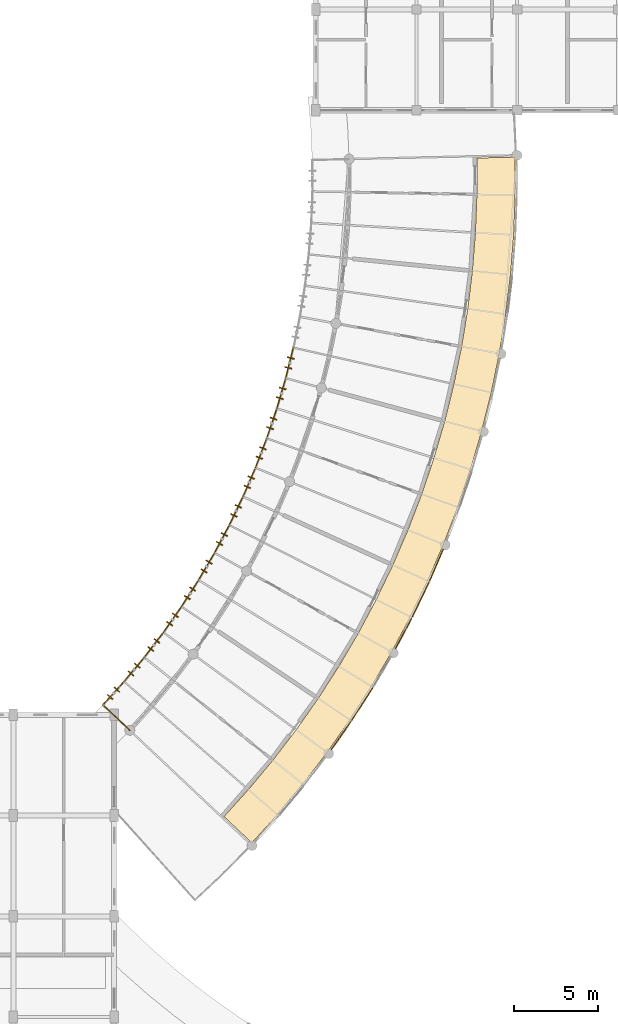
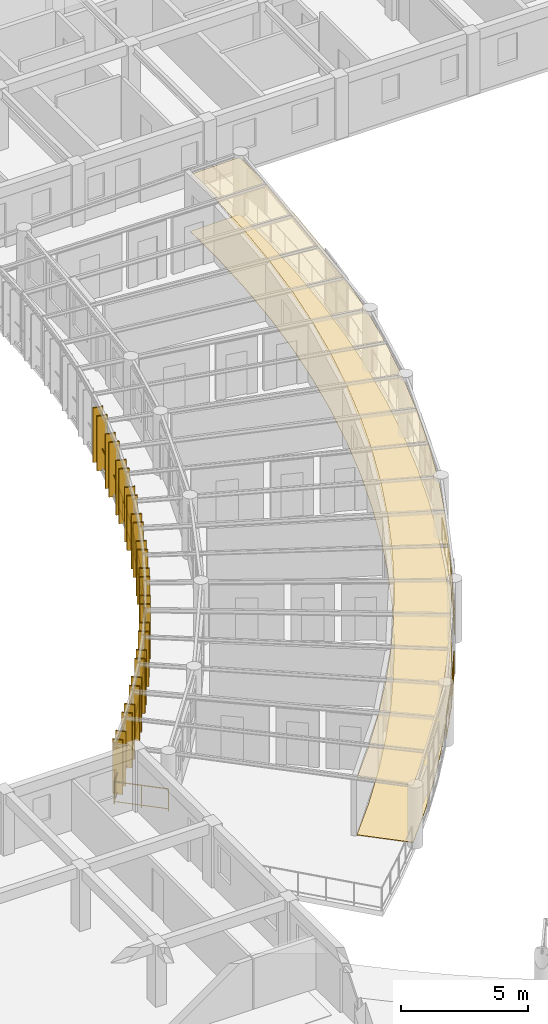
# One storey, part 91 of 101: 26 shading devices, 19 railings, 2 coverings.
"""IFC4 building model written with IfcOpenShell, lengths in metres."""

from ifc_helpers import new_model, si_unit, direction, frame, origin, origin_2d, place, context, subcontext, project, spatial, polyline, rectangle, circle, outline, extrude, material, layer, layer_set, type_object, element, save


model = new_model("IFC4")

# Units and contexts
model_context = context("Model", 3, precision=1e-05, world=origin(), true_north=direction((0.0, 1.0)))
body_context = subcontext(model_context, "Body", "Model", "MODEL_VIEW")
ifc_project = project(units=[si_unit("LENGTHUNIT", "METRE"), si_unit("AREAUNIT", "SQUARE_METRE"), si_unit("VOLUMEUNIT", "CUBIC_METRE"), si_unit("PLANEANGLEUNIT", "RADIAN"), si_unit("MASSUNIT", "GRAM", prefix="KILO"), si_unit("POWERUNIT", "WATT"), si_unit("THERMODYNAMICTEMPERATUREUNIT", "KELVIN")], contexts=[model_context])

# Site, building, storey
site_placement = place(None, origin())
site = spatial("IfcSite", under=ifc_project, at=site_placement, CompositionType="ELEMENT")
building_placement = place(site_placement, origin())
building = spatial("IfcBuilding", under=site, at=building_placement, Name="Ruvembo Vaulted Housing Court", CompositionType="ELEMENT")
storey_placement = place(building_placement, frame((0.0, 0.0, 17.300048828125)))
storey = spatial("IfcBuildingStorey", under=building, at=storey_placement, Name="L05", CompositionType="ELEMENT", Elevation=17.300048828125)

# Coverings
ifc_material_1 = material(Name="Perforated Mineral-Fibre Acoustic Tile", Category="gypsum")
ifc_layer_1 = layer(ifc_material_1, 0.02001953125, Name="Perforated Mineral-Fibre Acoustic Tile")
ifc_layer_set_1 = layer_set([ifc_layer_1], Name="Perforated Mineral-Fibre Acoustic Tile")
covering_type_1 = type_object("IfcCoveringType", Name="COV-CEIL-ACOUST", PredefinedType="CEILING", material=ifc_layer_set_1)
covering_1_placement = place(storey_placement, frame((0.0, 0.0, 2.744873046875)))
element("IfcCovering", 1, at=covering_1_placement, inside=storey, type_object=covering_type_1, Name="Scoop SC1 L05 Shaded Access Gallery Ceiling", PredefinedType="CEILING", context=body_context, shape_type="SweptSolid", body=[
    extrude(outline(polyline([(44.201416015625, 34.37646484375), (45.718994140625, 36.053955078125), (47.23681640625, 37.876708984375), (48.6787109375, 39.76025390625), (50.0419921875, 41.701171875), (51.324951171875, 43.6962890625), (52.52490234375, 45.742431640625), (53.64013671875, 47.8359375), (54.66845703125, 49.973388671875), (55.608642578125, 52.151123046875), (56.45849609375, 54.36572265625), (57.21728515625, 56.613037109375), (57.88330078125, 58.8896484375), (58.455322265625, 61.191650390625), (58.9326171875, 63.51513671875), (59.314208984375, 65.856201171875), (59.599853515625, 68.2109375), (59.78857421875, 70.575439453125), (59.88037109375, 72.94580078125), (59.875244140625, 75.207763671875), (57.595703125, 75.156005859375), (57.600830078125, 72.989501953125), (57.6005859375, 72.985107421875), (57.5126953125, 70.712646484375), (57.512451171875, 70.7080078125), (57.33154296875, 68.441162109375), (57.3310546875, 68.436767578125), (57.057373046875, 66.17919921875), (57.056640625, 66.1748046875), (56.690673828125, 63.930419921875), (56.68994140625, 63.926025390625), (56.232421875, 61.698486328125), (56.231201171875, 61.694091796875), (55.682861328125, 59.487060546875), (55.681640625, 59.482666015625), (55.043212890625, 57.300048828125), (55.041748046875, 57.2958984375), (54.314453125, 55.14111328125), (54.31298828125, 55.136962890625), (53.498046875, 53.013916015625), (53.496337890625, 53.009521484375), (52.59521484375, 50.921875), (52.59326171875, 50.917724609375), (51.607177734375, 48.868408203125), (51.605224609375, 48.864501953125), (50.535888671875, 46.857421875), (50.53369140625, 46.853515625), (49.38330078125, 44.891845703125), (49.381103515625, 44.887939453125), (48.151123046875, 42.97509765625), (48.148681640625, 42.971435546875), (46.841552734375, 41.110595703125), (46.8388671875, 41.10693359375), (45.456298828125, 39.30126953125), (45.45361328125, 39.297607421875), (43.99853515625, 37.550048828125), (43.99560546875, 37.546630859375), (42.54248046875, 35.940185546875), (44.201416015625, 34.37646484375)])), origin(), (0.0, 0.0, 1.0), 0.02001953125),
])
ifc_material_2 = material(Name="Polished Cement-Aggregate Terrazzo", Category="stone")
ifc_layer_2 = layer(ifc_material_2, 0.02197265625, Name="Polished Cement-Aggregate Terrazzo")
ifc_layer_set_2 = layer_set([ifc_layer_2], Name="Polished Cement-Aggregate Terrazzo")
covering_type_2 = type_object("IfcCoveringType", Name="COV-FLR-CERAMIC", PredefinedType="FLOORING", material=ifc_layer_set_2)
covering_2_placement = place(storey_placement, origin())
element("IfcCovering", 2, at=covering_2_placement, inside=storey, type_object=covering_type_2, Name="Scoop SC1 L05 Shaded Access Gallery Flooring", PredefinedType="FLOORING", context=body_context, shape_type="SweptSolid", body=[
    extrude(outline(polyline([(44.201416015625, 34.37646484375), (45.718994140625, 36.053955078125), (47.23681640625, 37.876708984375), (48.6787109375, 39.76025390625), (50.0419921875, 41.701171875), (51.324951171875, 43.6962890625), (52.52490234375, 45.742431640625), (53.64013671875, 47.8359375), (54.66845703125, 49.973388671875), (55.608642578125, 52.151123046875), (56.45849609375, 54.36572265625), (57.21728515625, 56.613037109375), (57.88330078125, 58.8896484375), (58.455322265625, 61.191650390625), (58.9326171875, 63.51513671875), (59.314208984375, 65.856201171875), (59.599853515625, 68.2109375), (59.78857421875, 70.575439453125), (59.88037109375, 72.94580078125), (59.875244140625, 75.207763671875), (57.595703125, 75.156005859375), (57.600830078125, 72.989501953125), (57.6005859375, 72.985107421875), (57.5126953125, 70.712646484375), (57.512451171875, 70.7080078125), (57.33154296875, 68.441162109375), (57.3310546875, 68.436767578125), (57.057373046875, 66.17919921875), (57.056640625, 66.1748046875), (56.690673828125, 63.930419921875), (56.68994140625, 63.926025390625), (56.232421875, 61.698486328125), (56.231201171875, 61.694091796875), (55.682861328125, 59.487060546875), (55.681640625, 59.482666015625), (55.043212890625, 57.300048828125), (55.041748046875, 57.2958984375), (54.314453125, 55.14111328125), (54.31298828125, 55.136962890625), (53.498046875, 53.013916015625), (53.496337890625, 53.009521484375), (52.59521484375, 50.921875), (52.59326171875, 50.917724609375), (51.607177734375, 48.868408203125), (51.605224609375, 48.864501953125), (50.535888671875, 46.857421875), (50.53369140625, 46.853515625), (49.38330078125, 44.891845703125), (49.381103515625, 44.887939453125), (48.151123046875, 42.97509765625), (48.148681640625, 42.971435546875), (46.841552734375, 41.110595703125), (46.8388671875, 41.10693359375), (45.456298828125, 39.30126953125), (45.45361328125, 39.297607421875), (43.99853515625, 37.550048828125), (43.99560546875, 37.546630859375), (42.54248046875, 35.940185546875), (44.201416015625, 34.37646484375)])), origin(), (0.0, 0.0, 1.0), 0.02197265625),
])

# Railings
ifc_material_3 = material(Name="Galvanised Painted Steel and Laminated Glass", Category="steel")
ifc_layer_3 = layer(ifc_material_3, 0.070068359375, Name="Galvanised Painted Steel and Laminated Glass")
ifc_layer_set_3 = layer_set([ifc_layer_3], Name="Galvanised Painted Steel and Laminated Glass")
railing_type_1 = type_object("IfcRailingType", Name="RL-BALUST-1120", PredefinedType="BALUSTRADE", material=ifc_layer_set_3)
railing_1_placement = place(storey_placement, frame((48.939697265625, 39.940673828125, 0.0)))
element("IfcRailing", 3, at=railing_1_placement, inside=storey, type_object=railing_type_1, Name="L05 Perimeter Guard RL-EXT-L05-0183", PredefinedType="BALUSTRADE", context=body_context, shape_type="SweptSolid", body=[
    extrude(circle(Radius=0.02392578125, at=origin_2d()), frame((0.0, 0.0, 1.09619140625), z_axis=(0.574803820442, 0.818291248887, 0.0), x_axis=(-0.818291248887, 0.574803820442, 0.0)), (0.0, 0.0, 1.0), 2.0263671875),
    extrude(circle(Radius=0.01806640625, at=origin_2d()), frame((0.0, 0.0, 0.1201171875), z_axis=(0.574803820442, 0.818291248887, 0.0), x_axis=(-0.818291248887, 0.574803820442, 0.0)), (0.0, 0.0, 1.0), 2.0263671875),
    extrude(circle(Radius=0.02099609375, at=origin_2d()), origin(), (0.0, 0.0, 1.0), 1.072021484375),
    extrude(circle(Radius=0.02099609375, at=origin_2d()), frame((0.58251953125, 0.8291015625, 0.0)), (0.0, 0.0, 1.0), 1.072021484375),
    extrude(circle(Radius=0.02099609375, at=origin_2d()), frame((1.164794921875, 1.658203125, 0.0)), (0.0, 0.0, 1.0), 1.072021484375),
])
railing_2_placement = place(storey_placement, frame((50.160400390625, 41.681884765625, 0.0)))
element("IfcRailing", 4, at=railing_2_placement, inside=storey, type_object=railing_type_1, Name="L05 Perimeter Guard RL-EXT-L05-0184", PredefinedType="BALUSTRADE", context=body_context, shape_type="SweptSolid", body=[
    extrude(circle(Radius=0.02392578125, at=origin_2d()), frame((0.0, 0.0, 1.09619140625), z_axis=(0.540838894016, 0.8411262038, 0.0), x_axis=(-0.8411262038, 0.540838894016, 0.0)), (0.0, 0.0, 1.0), 2.2763671875),
    extrude(circle(Radius=0.01806640625, at=origin_2d()), frame((0.0, 0.0, 0.1201171875), z_axis=(0.540838894016, 0.8411262038, 0.0), x_axis=(-0.8411262038, 0.540838894016, 0.0)), (0.0, 0.0, 1.0), 2.2763671875),
    extrude(circle(Radius=0.02099609375, at=origin_2d()), origin(), (0.0, 0.0, 1.0), 1.072021484375),
    extrude(circle(Radius=0.02099609375, at=origin_2d()), frame((0.61572265625, 0.95751953125, 0.0)), (0.0, 0.0, 1.0), 1.072021484375),
    extrude(circle(Radius=0.02099609375, at=origin_2d()), frame((1.231201171875, 1.914794921875, 0.0)), (0.0, 0.0, 1.0), 1.072021484375),
])
railing_3_placement = place(storey_placement, frame((52.761962890625, 45.95361328125, 0.0)))
element("IfcRailing", 5, at=railing_3_placement, inside=storey, type_object=railing_type_1, Name="L05 Perimeter Guard RL-EXT-L05-0185", PredefinedType="BALUSTRADE", context=body_context, shape_type="SweptSolid", body=[
    extrude(circle(Radius=0.02392578125, at=origin_2d()), frame((0.0, 0.0, 1.09619140625), z_axis=(0.470100420007, 0.882612936178, 0.0), x_axis=(-0.882612936178, 0.470100420007, 0.0)), (0.0, 0.0, 1.0), 2.0263671875),
    extrude(circle(Radius=0.01806640625, at=origin_2d()), frame((0.0, 0.0, 0.1201171875), z_axis=(0.470100420007, 0.882612936178, 0.0), x_axis=(-0.882612936178, 0.470100420007, 0.0)), (0.0, 0.0, 1.0), 2.0263671875),
    extrude(circle(Radius=0.02099609375, at=origin_2d()), origin(), (0.0, 0.0, 1.0), 1.072021484375),
    extrude(circle(Radius=0.02099609375, at=origin_2d()), frame((0.476318359375, 0.894287109375, 0.0)), (0.0, 0.0, 1.0), 1.072021484375),
    extrude(circle(Radius=0.02099609375, at=origin_2d()), frame((0.95263671875, 1.78857421875, 0.0)), (0.0, 0.0, 1.0), 1.072021484375),
])
railing_4_placement = place(storey_placement, frame((53.760009765625, 47.831298828125, 0.0)))
element("IfcRailing", 6, at=railing_4_placement, inside=storey, type_object=railing_type_1, Name="L05 Perimeter Guard RL-EXT-L05-0186", PredefinedType="BALUSTRADE", context=body_context, shape_type="SweptSolid", body=[
    extrude(circle(Radius=0.02392578125, at=origin_2d()), frame((0.0, 0.0, 1.09619140625), z_axis=(0.433477019687, 0.90116462059, 0.0), x_axis=(-0.90116462059, 0.433477019687, 0.0)), (0.0, 0.0, 1.0), 2.276611328125),
    extrude(circle(Radius=0.01806640625, at=origin_2d()), frame((0.0, 0.0, 0.1201171875), z_axis=(0.433477019687, 0.90116462059, 0.0), x_axis=(-0.90116462059, 0.433477019687, 0.0)), (0.0, 0.0, 1.0), 2.276611328125),
    extrude(circle(Radius=0.02099609375, at=origin_2d()), origin(), (0.0, 0.0, 1.0), 1.072021484375),
    extrude(circle(Radius=0.02099609375, at=origin_2d()), frame((0.493408203125, 1.02587890625, 0.0)), (0.0, 0.0, 1.0), 1.072021484375),
    extrude(circle(Radius=0.02099609375, at=origin_2d()), frame((0.98681640625, 2.051513671875, 0.0)), (0.0, 0.0, 1.0), 1.072021484375),
])
railing_5_placement = place(storey_placement, frame((54.788330078125, 49.9736328125, 0.0)))
element("IfcRailing", 7, at=railing_5_placement, inside=storey, type_object=railing_type_1, Name="L05 Perimeter Guard RL-EXT-L05-0187", PredefinedType="BALUSTRADE", context=body_context, shape_type="SweptSolid", body=[
    extrude(circle(Radius=0.02392578125, at=origin_2d()), frame((0.0, 0.0, 1.09619140625), z_axis=(0.396346015974, 0.918101212079, 0.0), x_axis=(-0.918101212079, 0.396346015974, 0.0)), (0.0, 0.0, 1.0), 2.026611328125),
    extrude(circle(Radius=0.01806640625, at=origin_2d()), frame((0.0, 0.0, 0.1201171875), z_axis=(0.396346015974, 0.918101212079, 0.0), x_axis=(-0.918101212079, 0.396346015974, 0.0)), (0.0, 0.0, 1.0), 2.026611328125),
    extrude(circle(Radius=0.02099609375, at=origin_2d()), origin(), (0.0, 0.0, 1.0), 1.072021484375),
    extrude(circle(Radius=0.02099609375, at=origin_2d()), frame((0.401611328125, 0.93017578125, 0.0)), (0.0, 0.0, 1.0), 1.072021484375),
    extrude(circle(Radius=0.02099609375, at=origin_2d()), frame((0.80322265625, 1.860595703125, 0.0)), (0.0, 0.0, 1.0), 1.072021484375),
])
ifc_material_4 = material(Name="Galvanised Painted Steel S275", Category="steel")
ifc_layer_4 = layer(ifc_material_4, 0.06005859375, Name="Galvanised Painted Steel S275")
ifc_layer_set_4 = layer_set([ifc_layer_4], Name="Galvanised Painted Steel S275")
railing_type_2 = type_object("IfcRailingType", Name="RL-GUARD-1100", PredefinedType="GUARDRAIL", material=ifc_layer_set_4)
railing_6_placement = place(storey_placement, frame((36.9306640625, 41.078125, 0.0)))
element("IfcRailing", 8, at=railing_6_placement, inside=storey, type_object=railing_type_2, Name="L05 Perimeter Guard RL-EXT-L05-0160", PredefinedType="GUARDRAIL", context=body_context, shape_type="SweptSolid", body=[
    extrude(circle(Radius=0.02392578125, at=origin_2d()), frame((0.0, 0.0, 1.076171875), z_axis=(-0.727769798271, 0.685821493338, 0.0), x_axis=(-0.685821493338, -0.727769798271, 0.0)), (0.0, 0.0, 1.0), 2.199951171875),
    extrude(circle(Radius=0.01806640625, at=origin_2d()), frame((0.0, 0.0, 0.1201171875), z_axis=(-0.727769798271, 0.685821493338, 0.0), x_axis=(-0.685821493338, -0.727769798271, 0.0)), (0.0, 0.0, 1.0), 2.199951171875),
    extrude(circle(Radius=0.02099609375, at=origin_2d()), origin(), (0.0, 0.0, 1.0), 1.052001953125),
    extrude(circle(Radius=0.02099609375, at=origin_2d()), frame((-0.800537109375, 0.75439453125, 0.0)), (0.0, 0.0, 1.0), 1.052001953125),
    extrude(circle(Radius=0.02099609375, at=origin_2d()), frame((-1.60107421875, 1.5087890625, 0.0)), (0.0, 0.0, 1.0), 1.052001953125),
])
railing_7_placement = place(storey_placement, frame((35.32958984375, 42.5869140625, 0.0)))
element("IfcRailing", 9, at=railing_7_placement, inside=storey, type_object=railing_type_2, Name="L05 Perimeter Guard RL-EXT-L05-0161", PredefinedType="GUARDRAIL", context=body_context, shape_type="SweptSolid", body=[
    extrude(circle(Radius=0.02392578125, at=origin_2d()), frame((0.0, 0.0, 1.076171875), z_axis=(0.670766832997, 0.741668292265, 0.0), x_axis=(-0.741668292265, 0.670766832997, 0.0)), (0.0, 0.0, 1.0), 1.876708984375),
    extrude(circle(Radius=0.01806640625, at=origin_2d()), frame((0.0, 0.0, 0.1201171875), z_axis=(0.670766832997, 0.741668292265, 0.0), x_axis=(-0.741668292265, 0.670766832997, 0.0)), (0.0, 0.0, 1.0), 1.876708984375),
    extrude(circle(Radius=0.02099609375, at=origin_2d()), origin(), (0.0, 0.0, 1.0), 1.052001953125),
    extrude(circle(Radius=0.02099609375, at=origin_2d()), frame((0.62939453125, 0.69580078125, 0.0)), (0.0, 0.0, 1.0), 1.052001953125),
    extrude(circle(Radius=0.02099609375, at=origin_2d()), frame((1.2587890625, 1.391845703125, 0.0)), (0.0, 0.0, 1.0), 1.052001953125),
])
railing_8_placement = place(storey_placement, frame((36.58837890625, 43.978759765625, 0.0)))
element("IfcRailing", 10, at=railing_8_placement, inside=storey, type_object=railing_type_2, Name="L05 Perimeter Guard RL-EXT-L05-0162", PredefinedType="GUARDRAIL", context=body_context, shape_type="SweptSolid", body=[
    extrude(circle(Radius=0.02392578125, at=origin_2d()), frame((0.0, 0.0, 1.076171875), z_axis=(0.639915648776, 0.76844515904, 0.0), x_axis=(-0.76844515904, 0.639915648776, 0.0)), (0.0, 0.0, 1.0), 1.876708984375),
    extrude(circle(Radius=0.01806640625, at=origin_2d()), frame((0.0, 0.0, 0.1201171875), z_axis=(0.639915648776, 0.76844515904, 0.0), x_axis=(-0.76844515904, 0.639915648776, 0.0)), (0.0, 0.0, 1.0), 1.876708984375),
    extrude(circle(Radius=0.02099609375, at=origin_2d()), origin(), (0.0, 0.0, 1.0), 1.052001953125),
    extrude(circle(Radius=0.02099609375, at=origin_2d()), frame((0.6005859375, 0.72119140625, 0.0)), (0.0, 0.0, 1.0), 1.052001953125),
    extrude(circle(Radius=0.02099609375, at=origin_2d()), frame((1.200927734375, 1.442138671875, 0.0)), (0.0, 0.0, 1.0), 1.052001953125),
])
railing_9_placement = place(storey_placement, frame((37.789306640625, 45.4208984375, 0.0)))
element("IfcRailing", 11, at=railing_9_placement, inside=storey, type_object=railing_type_2, Name="L05 Perimeter Guard RL-EXT-L05-0163", PredefinedType="GUARDRAIL", context=body_context, shape_type="SweptSolid", body=[
    extrude(circle(Radius=0.02392578125, at=origin_2d()), frame((0.0, 0.0, 1.076171875), z_axis=(0.607860517304, 0.794043822155, 0.0), x_axis=(-0.794043822155, 0.607860517304, 0.0)), (0.0, 0.0, 1.0), 1.87646484375),
    extrude(circle(Radius=0.01806640625, at=origin_2d()), frame((0.0, 0.0, 0.1201171875), z_axis=(0.607860517304, 0.794043822155, 0.0), x_axis=(-0.794043822155, 0.607860517304, 0.0)), (0.0, 0.0, 1.0), 1.87646484375),
    extrude(circle(Radius=0.02099609375, at=origin_2d()), origin(), (0.0, 0.0, 1.0), 1.052001953125),
    extrude(circle(Radius=0.02099609375, at=origin_2d()), frame((0.5703125, 0.7451171875, 0.0)), (0.0, 0.0, 1.0), 1.052001953125),
    extrude(circle(Radius=0.02099609375, at=origin_2d()), frame((1.140625, 1.489990234375, 0.0)), (0.0, 0.0, 1.0), 1.052001953125),
])
railing_10_placement = place(storey_placement, frame((38.929931640625, 46.910888671875, 0.0)))
element("IfcRailing", 12, at=railing_10_placement, inside=storey, type_object=railing_type_2, Name="L05 Perimeter Guard RL-EXT-L05-0164", PredefinedType="GUARDRAIL", context=body_context, shape_type="SweptSolid", body=[
    extrude(circle(Radius=0.02392578125, at=origin_2d()), frame((0.0, 0.0, 1.076171875), z_axis=(0.574858427718, 0.81825288761, 0.0), x_axis=(-0.81825288761, 0.574858427718, 0.0)), (0.0, 0.0, 1.0), 1.876708984375),
    extrude(circle(Radius=0.01806640625, at=origin_2d()), frame((0.0, 0.0, 0.1201171875), z_axis=(0.574858427718, 0.81825288761, 0.0), x_axis=(-0.81825288761, 0.574858427718, 0.0)), (0.0, 0.0, 1.0), 1.876708984375),
    extrude(circle(Radius=0.02099609375, at=origin_2d()), origin(), (0.0, 0.0, 1.0), 1.052001953125),
    extrude(circle(Radius=0.02099609375, at=origin_2d()), frame((0.53955078125, 0.767822265625, 0.0)), (0.0, 0.0, 1.0), 1.052001953125),
    extrude(circle(Radius=0.02099609375, at=origin_2d()), frame((1.078857421875, 1.53564453125, 0.0)), (0.0, 0.0, 1.0), 1.052001953125),
])
railing_11_placement = place(storey_placement, frame((40.0087890625, 48.446533203125, 0.0)))
element("IfcRailing", 13, at=railing_11_placement, inside=storey, type_object=railing_type_2, Name="L05 Perimeter Guard RL-EXT-L05-0165", PredefinedType="GUARDRAIL", context=body_context, shape_type="SweptSolid", body=[
    extrude(circle(Radius=0.02392578125, at=origin_2d()), frame((0.0, 0.0, 1.076171875), z_axis=(0.540783890821, 0.841161567969, 0.0), x_axis=(-0.841161567969, 0.540783890821, 0.0)), (0.0, 0.0, 1.0), 1.876708984375),
    extrude(circle(Radius=0.01806640625, at=origin_2d()), frame((0.0, 0.0, 0.1201171875), z_axis=(0.540783890821, 0.841161567969, 0.0), x_axis=(-0.841161567969, 0.540783890821, 0.0)), (0.0, 0.0, 1.0), 1.876708984375),
    extrude(circle(Radius=0.02099609375, at=origin_2d()), origin(), (0.0, 0.0, 1.0), 1.052001953125),
    extrude(circle(Radius=0.02099609375, at=origin_2d()), frame((0.50732421875, 0.789306640625, 0.0)), (0.0, 0.0, 1.0), 1.052001953125),
    extrude(circle(Radius=0.02099609375, at=origin_2d()), frame((1.014892578125, 1.57861328125, 0.0)), (0.0, 0.0, 1.0), 1.052001953125),
])
railing_12_placement = place(storey_placement, frame((41.023681640625, 50.025146484375, 0.0)))
element("IfcRailing", 14, at=railing_12_placement, inside=storey, type_object=railing_type_2, Name="L05 Perimeter Guard RL-EXT-L05-0166", PredefinedType="GUARDRAIL", context=body_context, shape_type="SweptSolid", body=[
    extrude(circle(Radius=0.02392578125, at=origin_2d()), frame((0.0, 0.0, 1.076171875), z_axis=(0.505859733288, 0.862615748893, 0.0), x_axis=(-0.862615748893, 0.505859733288, 0.0)), (0.0, 0.0, 1.0), 1.87646484375),
    extrude(circle(Radius=0.01806640625, at=origin_2d()), frame((0.0, 0.0, 0.1201171875), z_axis=(0.505859733288, 0.862615748893, 0.0), x_axis=(-0.862615748893, 0.505859733288, 0.0)), (0.0, 0.0, 1.0), 1.87646484375),
    extrude(circle(Radius=0.02099609375, at=origin_2d()), origin(), (0.0, 0.0, 1.0), 1.052001953125),
    extrude(circle(Radius=0.02099609375, at=origin_2d()), frame((0.474609375, 0.809326171875, 0.0)), (0.0, 0.0, 1.0), 1.052001953125),
    extrude(circle(Radius=0.02099609375, at=origin_2d()), frame((0.94921875, 1.61865234375, 0.0)), (0.0, 0.0, 1.0), 1.052001953125),
])
railing_13_placement = place(storey_placement, frame((41.972900390625, 51.643798828125, 0.0)))
element("IfcRailing", 15, at=railing_13_placement, inside=storey, type_object=railing_type_2, Name="L05 Perimeter Guard RL-EXT-L05-0167", PredefinedType="GUARDRAIL", context=body_context, shape_type="SweptSolid", body=[
    extrude(circle(Radius=0.02392578125, at=origin_2d()), frame((0.0, 0.0, 1.076171875), z_axis=(0.470115552325, 0.882604876183, 0.0), x_axis=(-0.882604876183, 0.470115552325, 0.0)), (0.0, 0.0, 1.0), 1.876708984375),
    extrude(circle(Radius=0.01806640625, at=origin_2d()), frame((0.0, 0.0, 0.1201171875), z_axis=(0.470115552325, 0.882604876183, 0.0), x_axis=(-0.882604876183, 0.470115552325, 0.0)), (0.0, 0.0, 1.0), 1.876708984375),
    extrude(circle(Radius=0.02099609375, at=origin_2d()), origin(), (0.0, 0.0, 1.0), 1.052001953125),
    extrude(circle(Radius=0.02099609375, at=origin_2d()), frame((0.441162109375, 0.828125, 0.0)), (0.0, 0.0, 1.0), 1.052001953125),
    extrude(circle(Radius=0.02099609375, at=origin_2d()), frame((0.88232421875, 1.656494140625, 0.0)), (0.0, 0.0, 1.0), 1.052001953125),
])
railing_14_placement = place(storey_placement, frame((42.855224609375, 53.30029296875, 0.0)))
element("IfcRailing", 16, at=railing_14_placement, inside=storey, type_object=railing_type_2, Name="L05 Perimeter Guard RL-EXT-L05-0168", PredefinedType="GUARDRAIL", context=body_context, shape_type="SweptSolid", body=[
    extrude(circle(Radius=0.02392578125, at=origin_2d()), frame((0.0, 0.0, 1.076171875), z_axis=(0.433631756601, 0.901090172883, 0.0), x_axis=(-0.901090172883, 0.433631756601, 0.0)), (0.0, 0.0, 1.0), 1.87646484375),
    extrude(circle(Radius=0.01806640625, at=origin_2d()), frame((0.0, 0.0, 0.1201171875), z_axis=(0.433631756601, 0.901090172883, 0.0), x_axis=(-0.901090172883, 0.433631756601, 0.0)), (0.0, 0.0, 1.0), 1.87646484375),
    extrude(circle(Radius=0.02099609375, at=origin_2d()), origin(), (0.0, 0.0, 1.0), 1.052001953125),
    extrude(circle(Radius=0.02099609375, at=origin_2d()), frame((0.40673828125, 0.845458984375, 0.0)), (0.0, 0.0, 1.0), 1.052001953125),
    extrude(circle(Radius=0.02099609375, at=origin_2d()), frame((0.813720703125, 1.69091796875, 0.0)), (0.0, 0.0, 1.0), 1.052001953125),
])
railing_15_placement = place(storey_placement, frame((43.6689453125, 54.9912109375, 0.0)))
element("IfcRailing", 17, at=railing_15_placement, inside=storey, type_object=railing_type_2, Name="L05 Perimeter Guard RL-EXT-L05-0169", PredefinedType="GUARDRAIL", context=body_context, shape_type="SweptSolid", body=[
    extrude(circle(Radius=0.02392578125, at=origin_2d()), frame((0.0, 0.0, 1.076171875), z_axis=(0.396288974503, 0.918125834887, 0.0), x_axis=(-0.918125834887, 0.396288974503, 0.0)), (0.0, 0.0, 1.0), 1.87646484375),
    extrude(circle(Radius=0.01806640625, at=origin_2d()), frame((0.0, 0.0, 0.1201171875), z_axis=(0.396288974503, 0.918125834887, 0.0), x_axis=(-0.918125834887, 0.396288974503, 0.0)), (0.0, 0.0, 1.0), 1.87646484375),
    extrude(circle(Radius=0.02099609375, at=origin_2d()), origin(), (0.0, 0.0, 1.0), 1.052001953125),
    extrude(circle(Radius=0.02099609375, at=origin_2d()), frame((0.371826171875, 0.861328125, 0.0)), (0.0, 0.0, 1.0), 1.052001953125),
    extrude(circle(Radius=0.02099609375, at=origin_2d()), frame((0.74365234375, 1.722900390625, 0.0)), (0.0, 0.0, 1.0), 1.052001953125),
])
railing_16_placement = place(storey_placement, frame((44.41259765625, 56.714111328125, 0.0)))
element("IfcRailing", 18, at=railing_16_placement, inside=storey, type_object=railing_type_2, Name="L05 Perimeter Guard RL-EXT-L05-0170", PredefinedType="GUARDRAIL", context=body_context, shape_type="SweptSolid", body=[
    extrude(circle(Radius=0.02392578125, at=origin_2d()), frame((0.0, 0.0, 1.076171875), z_axis=(0.358368836189, 0.933580086146, 0.0), x_axis=(-0.933580086146, 0.358368836189, 0.0)), (0.0, 0.0, 1.0), 1.876953125),
    extrude(circle(Radius=0.01806640625, at=origin_2d()), frame((0.0, 0.0, 0.1201171875), z_axis=(0.358368836189, 0.933580086146, 0.0), x_axis=(-0.933580086146, 0.358368836189, 0.0)), (0.0, 0.0, 1.0), 1.876953125),
    extrude(circle(Radius=0.02099609375, at=origin_2d()), origin(), (0.0, 0.0, 1.0), 1.052001953125),
    extrude(circle(Radius=0.02099609375, at=origin_2d()), frame((0.33642578125, 0.8759765625, 0.0)), (0.0, 0.0, 1.0), 1.052001953125),
    extrude(circle(Radius=0.02099609375, at=origin_2d()), frame((0.672607421875, 1.752197265625, 0.0)), (0.0, 0.0, 1.0), 1.052001953125),
])
railing_17_placement = place(storey_placement, frame((45.085205078125, 58.46630859375, 0.0)))
element("IfcRailing", 19, at=railing_17_placement, inside=storey, type_object=railing_type_2, Name="L05 Perimeter Guard RL-EXT-L05-0171", PredefinedType="GUARDRAIL", context=body_context, shape_type="SweptSolid", body=[
    extrude(circle(Radius=0.02392578125, at=origin_2d()), frame((0.0, 0.0, 1.076171875), z_axis=(0.319933403304, 0.947440033696, 0.0), x_axis=(-0.947440033696, 0.319933403304, 0.0)), (0.0, 0.0, 1.0), 1.87646484375),
    extrude(circle(Radius=0.01806640625, at=origin_2d()), frame((0.0, 0.0, 0.1201171875), z_axis=(0.319933403304, 0.947440033696, 0.0), x_axis=(-0.947440033696, 0.319933403304, 0.0)), (0.0, 0.0, 1.0), 1.87646484375),
    extrude(circle(Radius=0.02099609375, at=origin_2d()), origin(), (0.0, 0.0, 1.0), 1.052001953125),
    extrude(circle(Radius=0.02099609375, at=origin_2d()), frame((0.30029296875, 0.888916015625, 0.0)), (0.0, 0.0, 1.0), 1.052001953125),
    extrude(circle(Radius=0.02099609375, at=origin_2d()), frame((0.600341796875, 1.77783203125, 0.0)), (0.0, 0.0, 1.0), 1.052001953125),
])
railing_18_placement = place(storey_placement, frame((45.685546875, 60.244140625, 0.0)))
element("IfcRailing", 20, at=railing_18_placement, inside=storey, type_object=railing_type_2, Name="L05 Perimeter Guard RL-EXT-L05-0172", PredefinedType="GUARDRAIL", context=body_context, shape_type="SweptSolid", body=[
    extrude(circle(Radius=0.02392578125, at=origin_2d()), frame((0.0, 0.0, 1.076171875), z_axis=(0.280729242843, 0.959787003565, 0.0), x_axis=(-0.959787003565, 0.280729242843, 0.0)), (0.0, 0.0, 1.0), 1.876708984375),
    extrude(circle(Radius=0.01806640625, at=origin_2d()), frame((0.0, 0.0, 0.1201171875), z_axis=(0.280729242843, 0.959787003565, 0.0), x_axis=(-0.959787003565, 0.280729242843, 0.0)), (0.0, 0.0, 1.0), 1.876708984375),
    extrude(circle(Radius=0.02099609375, at=origin_2d()), origin(), (0.0, 0.0, 1.0), 1.052001953125),
    extrude(circle(Radius=0.02099609375, at=origin_2d()), frame((0.263427734375, 0.900634765625, 0.0)), (0.0, 0.0, 1.0), 1.052001953125),
    extrude(circle(Radius=0.02099609375, at=origin_2d()), frame((0.52685546875, 1.80126953125, 0.0)), (0.0, 0.0, 1.0), 1.052001953125),
])
railing_19_placement = place(storey_placement, frame((46.21240234375, 62.04541015625, 0.0)))
element("IfcRailing", 21, at=railing_19_placement, inside=storey, type_object=railing_type_2, Name="L05 Perimeter Guard RL-EXT-L05-0173", PredefinedType="GUARDRAIL", context=body_context, shape_type="SweptSolid", body=[
    extrude(circle(Radius=0.02392578125, at=origin_2d()), frame((0.0, 0.0, 1.076171875), z_axis=(0.241066038615, 0.970508714555, 0.0), x_axis=(-0.970508714555, 0.241066038615, 0.0)), (0.0, 0.0, 1.0), 1.876708984375),
    extrude(circle(Radius=0.01806640625, at=origin_2d()), frame((0.0, 0.0, 0.1201171875), z_axis=(0.241066038615, 0.970508714555, 0.0), x_axis=(-0.970508714555, 0.241066038615, 0.0)), (0.0, 0.0, 1.0), 1.876708984375),
    extrude(circle(Radius=0.02099609375, at=origin_2d()), origin(), (0.0, 0.0, 1.0), 1.052001953125),
    extrude(circle(Radius=0.02099609375, at=origin_2d()), frame((0.22607421875, 0.91064453125, 0.0)), (0.0, 0.0, 1.0), 1.052001953125),
    extrude(circle(Radius=0.02099609375, at=origin_2d()), frame((0.452392578125, 1.8212890625, 0.0)), (0.0, 0.0, 1.0), 1.052001953125),
])

# Shading devices
ifc_material_5 = material(Name="Kiln-Fired Terracotta Extrusion", Category="masonry")
shading_device_type = type_object("IfcShadingDeviceType", Name="SHD-FIN-420", PredefinedType="USERDEFINED", material=ifc_material_5)
for number, where, z_axis, x_axis, name in (
    (22, (35.7578125, 43.060302734375, 0.050048828125), (0.0, 0.0, 1.0), (0.741601288413, -0.670840911859, 0.0), "Terracotta Brise-Soleil Fin #153"),
    (23, (36.160400390625, 43.50537109375, 0.050048828125), (0.0, 0.0, 1.0), (0.741601288413, -0.670840911859, 0.0), "Terracotta Brise-Soleil Fin #154"),
    (24, (36.996826171875, 44.46923828125, 0.050048828125), (0.0, 0.0, 1.0), (0.768495749762, -0.63985489183, 0.0), "Terracotta Brise-Soleil Fin #155"),
    (25, (37.380859375, 44.930419921875, 0.050048828125), (0.0, 0.0, 1.0), (0.768495749762, -0.63985489183, 0.0), "Terracotta Brise-Soleil Fin #156"),
    (26, (38.17724609375, 45.927734375, 0.050048828125), (0.0, 0.0, 1.0), (0.794043447551, -0.607861006646, 0.0), "Terracotta Brise-Soleil Fin #157"),
    (27, (38.5419921875, 46.404296875, 0.050048828125), (0.0, 0.0, 1.0), (0.794043447551, -0.607861006646, 0.0), "Terracotta Brise-Soleil Fin #158"),
    (28, (39.296875, 47.433349609375, 0.050048828125), (0.0, 0.0, 1.0), (0.818280160918, -0.574819604962, 0.0), "Terracotta Brise-Soleil Fin #159"),
    (29, (39.641845703125, 47.92431640625, 0.050048828125), (0.0, 0.0, 1.0), (0.818280160918, -0.574819604962, 0.0), "Terracotta Brise-Soleil Fin #160"),
    (30, (40.35400390625, 48.9833984375, 0.050048828125), (0.0, 0.0, 1.0), (0.841114539051, -0.540857034896, 0.0), "Terracotta Brise-Soleil Fin #161"),
    (31, (40.678466796875, 49.48828125, 0.050048828125), (0.0, 0.0, 1.0), (0.841114539051, -0.540857034896, 0.0), "Terracotta Brise-Soleil Fin #162"),
    (32, (41.3466796875, 50.57568359375, 0.050048828125), (0.0, 0.0, 1.0), (0.862619633753, -0.505853108583, 0.0), "Terracotta Brise-Soleil Fin #163"),
    (33, (41.650146484375, 51.09326171875, 0.050048828125), (0.0, 0.0, 1.0), (0.862619633753, -0.505853108583, 0.0), "Terracotta Brise-Soleil Fin #164"),
    (34, (42.273193359375, 52.207275390625, 0.050048828125), (0.0, 0.0, 1.0), (0.882586804261, -0.470149479362, 0.0), "Terracotta Brise-Soleil Fin #165"),
    (35, (42.55517578125, 52.73681640625, 0.050048828125), (0.0, 0.0, 1.0), (0.882586804261, -0.470149479362, 0.0), "Terracotta Brise-Soleil Fin #166"),
    (36, (43.132080078125, 53.87548828125, 0.050048828125), (0.0, 0.0, 1.0), (0.901099726423, -0.433611903711, 0.0), "Terracotta Brise-Soleil Fin #167"),
    (37, (43.39208984375, 54.416015625, 0.050048828125), (0.0, 0.0, 1.0), (0.901099726423, -0.433611903711, 0.0), "Terracotta Brise-Soleil Fin #168"),
    (38, (43.922119140625, 55.577392578125, 0.050048828125), (0.0, 0.0, 1.0), (0.918121604514, -0.396298775325, 0.0), "Terracotta Brise-Soleil Fin #169"),
    (39, (44.15966796875, 56.128173828125, 0.050048828125), (0.0, 0.0, 1.0), (0.918121604514, -0.396298775325, 0.0), "Terracotta Brise-Soleil Fin #170"),
    (40, (44.6416015625, 57.31005859375, 0.050048828125), (0.0, 0.0, 1.0), (0.933567916527, -0.358400537432, 0.0), "Terracotta Brise-Soleil Fin #171"),
    (41, (44.8564453125, 57.870361328125, 0.050048828125), (0.0, 0.0, 1.0), (0.933567916527, -0.358400537432, 0.0), "Terracotta Brise-Soleil Fin #172"),
    (42, (45.289306640625, 59.071044921875, 0.050048828125), (0.0, 0.0, 1.0), (0.947472959386, -0.319835881714, 0.0), "Terracotta Brise-Soleil Fin #173"),
    (43, (45.4814453125, 59.639404296875, 0.050048828125), (0.0, 0.0, 1.0), (0.947472959386, -0.319835881714, 0.0), "Terracotta Brise-Soleil Fin #174"),
    (44, (45.86474609375, 60.85693359375, 0.050048828125), (0.0, 0.0, 1.0), (0.959790594985, -0.280716963824, 0.0), "Terracotta Brise-Soleil Fin #175"),
    (45, (46.033203125, 61.4326171875, 0.050048828125), (0.0, 0.0, 1.0), (0.959790594985, -0.280716963824, 0.0), "Terracotta Brise-Soleil Fin #176"),
    (46, (46.3662109375, 62.664794921875, 0.050048828125), (0.0, 0.0, 1.0), (0.970481222826, -0.241176690711, 0.0), "Terracotta Brise-Soleil Fin #177"),
    (47, (46.510986328125, 63.2470703125, 0.050048828125), (0.0, 0.0, 1.0), (0.970481222826, -0.241176690711, 0.0), "Terracotta Brise-Soleil Fin #178"),
):
    element("IfcShadingDevice", number, at=place(storey_placement, frame(where, z_axis=z_axis, x_axis=x_axis)), inside=storey, type_object=shading_device_type, Name=name, ObjectType="FIN", PredefinedType="USERDEFINED", context=body_context, shape_type="SweptSolid", body=[
        extrude(rectangle(XDim=0.419921875, YDim=0.06494140625, at=origin_2d()), origin(), (0.0, 0.0, 1.0), 2.625),
    ])

save(model, "model.ifc")
